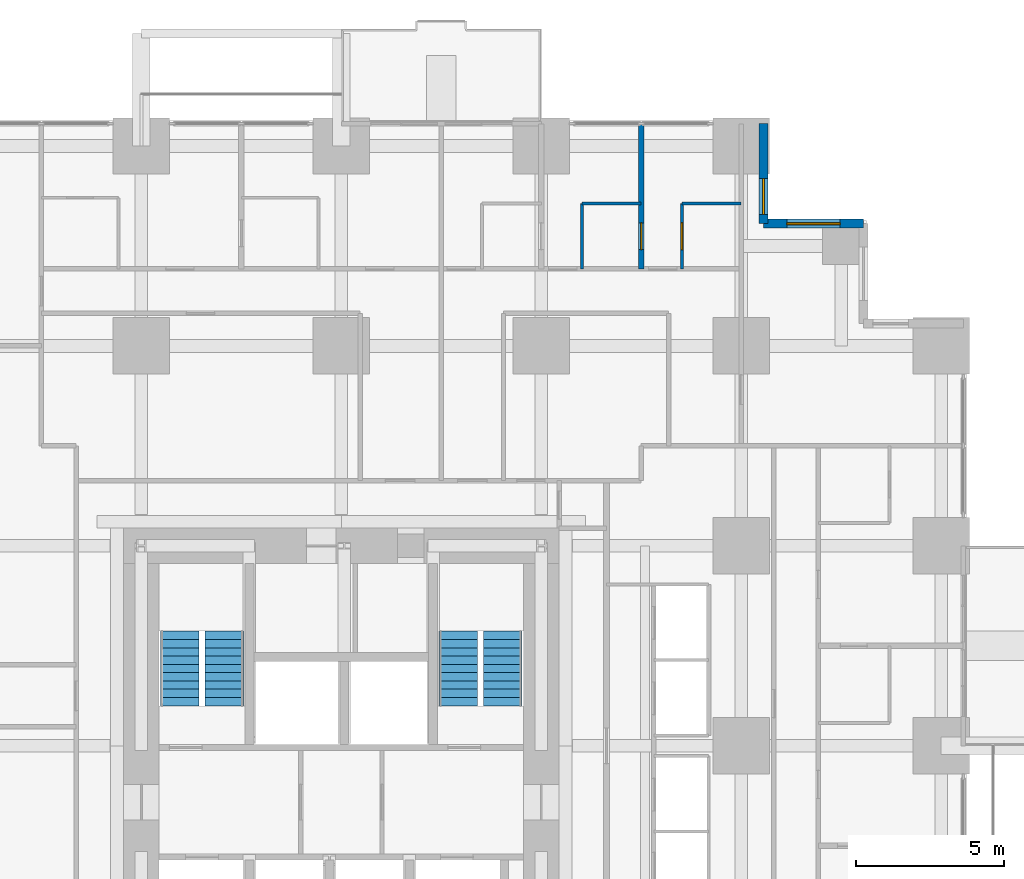
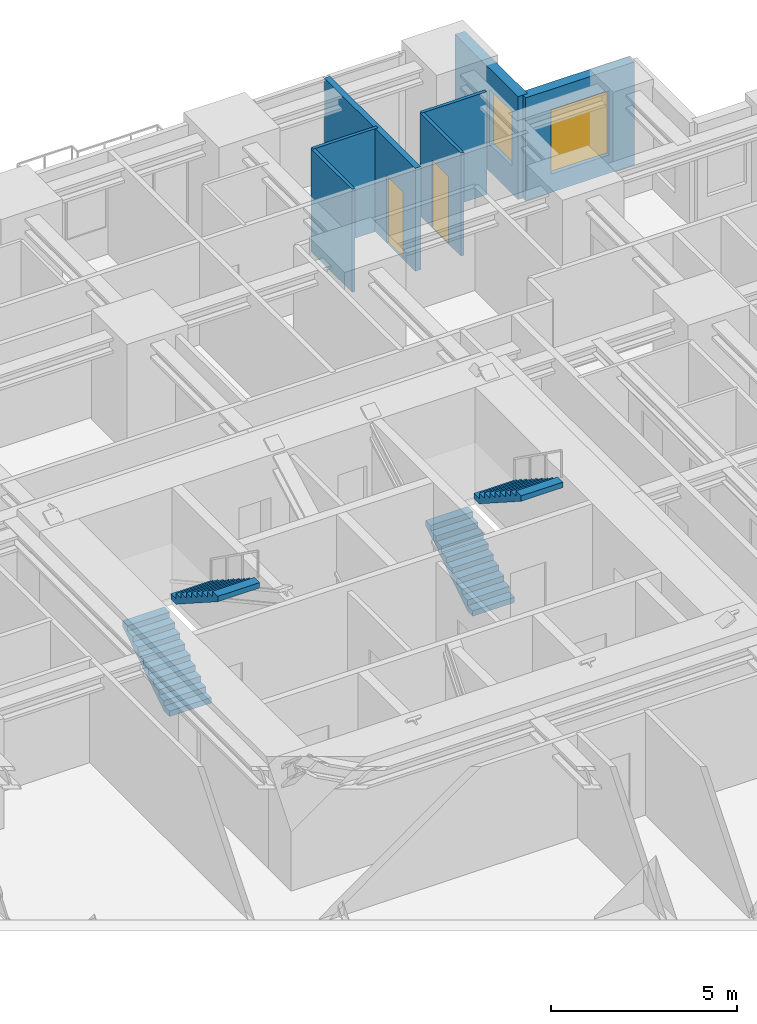
# One storey, part 13 of 14: 7 walls, 4 stair flights, 2 doors, 2 windows, 4 openings, 2 elements without a shape of their own.
"""IFC4 building model written with IfcOpenShell, lengths in metres."""

from ifc_helpers import new_model, si_unit, direction, frame, frame_2d, origin, place, context, subcontext, project, spatial, polyline, rectangle, outline, extrude, material, layer, layer_set, type_object, element, fill, aggregate, save


model = new_model("IFC4")

# Units and contexts
model_context = context("Model", 3, precision=1e-05, world=origin(), true_north=direction((0.0, 1.0)))
body_context = subcontext(model_context, "Body", "Model", "MODEL_VIEW")
ifc_project = project(units=[si_unit("LENGTHUNIT", "METRE"), si_unit("AREAUNIT", "SQUARE_METRE"), si_unit("VOLUMEUNIT", "CUBIC_METRE"), si_unit("PLANEANGLEUNIT", "RADIAN"), si_unit("MASSUNIT", "GRAM", prefix="KILO")], contexts=[model_context])

# Site, building, storey
site_placement = place(None, origin())
site = spatial("IfcSite", under=ifc_project, at=site_placement, CompositionType="ELEMENT")
building_placement = place(site_placement, origin())
building = spatial("IfcBuilding", under=site, at=building_placement, Name="Nyansa Garden Tower", CompositionType="ELEMENT")
storey_placement = place(building_placement, frame((0.0, 0.0, 28.800048828125)))
storey = spatial("IfcBuildingStorey", under=building, at=storey_placement, Name="L07", CompositionType="ELEMENT", Elevation=28.800048828125)

# Wall, opening, door
ifc_material_1 = material(Name="Dense blockwork, plastered both sides, 55 dB", Category="masonry")
ifc_layer_1 = layer(ifc_material_1, 0.175048828125)
ifc_layer_set_1 = layer_set([ifc_layer_1], Name="Acoustic party wall PW175")
wall_type_1 = type_object("IfcWallType", Name="Acoustic party wall PW175", PredefinedType="PARTITIONING", material=ifc_layer_set_1)
wall_1_placement = place(storey_placement, frame((30.375, 36.35009765625, 0.0), z_axis=(0.0, 0.0, 1.0), x_axis=(0.0, 1.0, 0.0)))
wall_1 = element("IfcWall", 1, at=wall_1_placement, inside=storey, type_object=wall_type_1, Name="Party wall", PredefinedType="PARTITIONING", context=body_context, shape_type="SweptSolid", body=[
    extrude(rectangle(XDim=4.8837890625, YDim=0.175048828125, at=frame_2d((2.44189453125, 0.0))), origin(), (0.0, 0.0, 1.0), 3.375),
])
opening_1_placement = place(wall_1_placement, frame((0.64990234375, 0.0, 0.0)))
opening_1 = element("IfcOpeningElement", 2, at=opening_1_placement, cuts=wall_1, Name="Opening D02", PredefinedType="OPENING", context=body_context, shape_type="SweptSolid", body=[
    extrude(rectangle(XDim=0.89990234375, YDim=2.199951171875, at=frame_2d((0.449951171875, 1.10009765625))), frame((0.0, 0.097412109375, 0.0), z_axis=(0.0, -1.0, 0.0), x_axis=(1.0, 0.0, 0.0)), (0.0, 0.0, 1.0), 0.195068359375),
])
ifc_material_2 = material(Name="Timber flush door", Category="wood")
door_type = type_object("IfcDoorType", Name="En-suite door D02 900x2200", OperationType="SINGLE_SWING_RIGHT", PredefinedType="DOOR", material=ifc_material_2)
door_1_placement = place(opening_1_placement, origin())
door_1 = element("IfcDoor", 3, at=door_1_placement, inside=storey, type_object=door_type, Name="Door L07-046", OperationType="SINGLE_SWING_RIGHT", OverallHeight=2.199951171875, OverallWidth=0.89990234375, PredefinedType="DOOR", context=body_context, shape_type="SweptSolid", body=[
    extrude(rectangle(XDim=0.89990234375, YDim=2.199951171875, at=frame_2d((0.449951171875, 1.10009765625))), frame((0.0, 0.02490234375, 0.0), z_axis=(0.0, -1.0, 0.0), x_axis=(1.0, 0.0, 0.0)), (0.0, 0.0, 1.0), 0.050048828125),
])
fill(opening_1, door_1)

# Wall, opening, window
ifc_material_3 = material(Name="Turquoise glazed tile on concrete blockwork", Category="masonry")
ifc_layer_2 = layer(ifc_material_3, 0.300048828125)
ifc_layer_set_2 = layer_set([ifc_layer_2], Name="Tiled corner wall TW300")
wall_type_2 = type_object("IfcWallType", Name="Tiled corner wall TW300", PredefinedType="SOLIDWALL", material=ifc_layer_set_2)
wall_2_placement = place(storey_placement, frame((37.875, 37.875, 0.0), z_axis=(0.0, 0.0, 1.0), x_axis=(-1.0, 0.0, 0.0)))
wall_2 = element("IfcWall", 4, at=wall_2_placement, inside=storey, type_object=wall_type_2, Name="Tiled corner wall L07", PredefinedType="SOLIDWALL", context=body_context, shape_type="SweptSolid", body=[
    extrude(rectangle(XDim=3.375, YDim=0.300048828125, at=frame_2d((1.6875, 0.0))), origin(), (0.0, 0.0, 1.0), 3.375),
])
opening_2_placement = place(wall_2_placement, frame((0.78759765625, 0.0, 0.60009765625)))
opening_2 = element("IfcOpeningElement", 5, at=opening_2_placement, cuts=wall_2, Name="Opening W2", PredefinedType="OPENING", context=body_context, shape_type="SweptSolid", body=[
    extrude(rectangle(XDim=1.800048828125, YDim=2.10009765625, at=frame_2d((0.89990234375, 1.050048828125))), frame((0.0, 0.159912109375, 0.0), z_axis=(0.0, -1.0, 0.0), x_axis=(1.0, 0.0, 0.0)), (0.0, 0.0, 1.0), 0.320068359375),
])
ifc_material_4 = material(Name="Black aluminium frame, dark tinted double glazing", Category="aluminium")
window_type_1 = type_object("IfcWindowType", Name="Window W2 1800x2100", PartitioningType="SINGLE_PANEL", PredefinedType="WINDOW", material=ifc_material_4)
window_1_placement = place(opening_2_placement, origin())
window_1 = element("IfcWindow", 6, at=window_1_placement, inside=storey, type_object=window_type_1, Name="Corner window L07", OverallHeight=2.10009765625, OverallWidth=1.800048828125, PartitioningType="SINGLE_PANEL", PredefinedType="WINDOW", context=body_context, shape_type="SweptSolid", body=[
    extrude(rectangle(XDim=1.800048828125, YDim=2.10009765625, at=frame_2d((0.89990234375, 1.050048828125))), frame((0.0, 0.030029296875, 0.0), z_axis=(0.0, -1.0, 0.0), x_axis=(1.0, 0.0, 0.0)), (0.0, 0.0, 1.0), 0.06005859375),
])
fill(opening_2, window_1)

wall_3_placement = place(storey_placement, frame((34.5, 37.875, 0.0), z_axis=(0.0, 0.0, 1.0), x_axis=(0.0, 1.0, 0.0)))
wall_3 = element("IfcWall", 7, at=wall_3_placement, inside=storey, type_object=wall_type_2, Name="Tiled corner wall L07", PredefinedType="SOLIDWALL", context=body_context, shape_type="SweptSolid", body=[
    extrude(rectangle(XDim=3.375, YDim=0.300048828125, at=frame_2d((1.6875, 0.0))), origin(), (0.0, 0.0, 1.0), 3.375),
])
opening_3_placement = place(wall_3_placement, frame((0.3173828125, 0.0, 0.89990234375)))
opening_3 = element("IfcOpeningElement", 8, at=opening_3_placement, cuts=wall_3, Name="Opening W4", PredefinedType="OPENING", context=body_context, shape_type="SweptSolid", body=[
    extrude(rectangle(XDim=1.199951171875, YDim=1.800048828125, at=frame_2d((0.60009765625, 0.89990234375))), frame((0.0, 0.159912109375, 0.0), z_axis=(0.0, -1.0, 0.0), x_axis=(1.0, 0.0, 0.0)), (0.0, 0.0, 1.0), 0.320068359375),
])
ifc_material_5 = material(Name="Black aluminium frame, dark tinted double glazing", Category="aluminium")
window_type_2 = type_object("IfcWindowType", Name="Window W4 1200x1800", PartitioningType="SINGLE_PANEL", PredefinedType="WINDOW", material=ifc_material_5)
window_2_placement = place(opening_3_placement, origin())
window_2 = element("IfcWindow", 9, at=window_2_placement, inside=storey, type_object=window_type_2, Name="Corner window L07", OverallHeight=1.800048828125, OverallWidth=1.199951171875, PartitioningType="SINGLE_PANEL", PredefinedType="WINDOW", context=body_context, shape_type="SweptSolid", body=[
    extrude(rectangle(XDim=1.199951171875, YDim=1.800048828125, at=frame_2d((0.60009765625, 0.89990234375))), frame((0.0, 0.030029296875, 0.0), z_axis=(0.0, -1.0, 0.0), x_axis=(1.0, 0.0, 0.0)), (0.0, 0.0, 1.0), 0.06005859375),
])
fill(opening_3, window_2)

# Walls
ifc_material_6 = material(Name="Moisture resistant board on steel studs, tiled", Category="steel")
ifc_layer_3 = layer(ifc_material_6, 0.10009765625)
ifc_layer_set_3 = layer_set([ifc_layer_3], Name="Wet wall PW100")
wall_type_3 = type_object("IfcWallType", Name="Wet wall PW100", PredefinedType="PARTITIONING", material=ifc_layer_set_3)
wall_4_placement = place(storey_placement, frame((28.375, 36.35009765625, 0.0), z_axis=(0.0, 0.0, 1.0), x_axis=(0.0, 1.0, 0.0)))
element("IfcWall", 10, at=wall_4_placement, inside=storey, type_object=wall_type_3, Name="Wet wall", PredefinedType="PARTITIONING", context=body_context, shape_type="SweptSolid", body=[
    extrude(rectangle(XDim=2.199951171875, YDim=0.10009765625, at=frame_2d((1.10009765625, 0.0))), origin(), (0.0, 0.0, 1.0), 3.375),
])
wall_5_placement = place(storey_placement, frame((28.375, 38.550048828125, 0.0), z_axis=(0.0, 0.0, 1.0), x_axis=(1.0, 0.0, 0.0)))
element("IfcWall", 11, at=wall_5_placement, inside=storey, type_object=wall_type_3, Name="Wet wall", PredefinedType="PARTITIONING", context=body_context, shape_type="SweptSolid", body=[
    extrude(rectangle(XDim=2.0, YDim=0.10009765625, at=frame_2d((1.0, 0.0))), origin(), (0.0, 0.0, 1.0), 3.375),
])

# Wall, opening, door
wall_6_placement = place(storey_placement, frame((31.75, 36.35009765625, 0.0), z_axis=(0.0, 0.0, 1.0), x_axis=(0.0, 1.0, 0.0)))
wall_6 = element("IfcWall", 12, at=wall_6_placement, inside=storey, type_object=wall_type_3, Name="Wet wall", PredefinedType="PARTITIONING", context=body_context, shape_type="SweptSolid", body=[
    extrude(rectangle(XDim=2.199951171875, YDim=0.10009765625, at=frame_2d((1.10009765625, 0.0))), origin(), (0.0, 0.0, 1.0), 3.375),
])
opening_4_placement = place(wall_6_placement, frame((0.64990234375, 0.0, 0.0)))
opening_4 = element("IfcOpeningElement", 13, at=opening_4_placement, cuts=wall_6, Name="Opening D02", PredefinedType="OPENING", context=body_context, shape_type="SweptSolid", body=[
    extrude(rectangle(XDim=0.89990234375, YDim=2.199951171875, at=frame_2d((0.449951171875, 1.10009765625))), frame((0.0, 0.06005859375, 0.0), z_axis=(0.0, -1.0, 0.0), x_axis=(1.0, 0.0, 0.0)), (0.0, 0.0, 1.0), 0.1201171875),
])
door_2_placement = place(opening_4_placement, origin())
door_2 = element("IfcDoor", 14, at=door_2_placement, inside=storey, type_object=door_type, Name="Door L07-044", OperationType="SINGLE_SWING_RIGHT", OverallHeight=2.199951171875, OverallWidth=0.89990234375, PredefinedType="DOOR", context=body_context, shape_type="SweptSolid", body=[
    extrude(rectangle(XDim=0.89990234375, YDim=2.199951171875, at=frame_2d((0.449951171875, 1.10009765625))), frame((0.0, 0.02490234375, 0.0), z_axis=(0.0, -1.0, 0.0), x_axis=(1.0, 0.0, 0.0)), (0.0, 0.0, 1.0), 0.050048828125),
])
fill(opening_4, door_2)

# Wall
wall_7_placement = place(storey_placement, frame((31.75, 38.550048828125, 0.0), z_axis=(0.0, 0.0, 1.0), x_axis=(1.0, 0.0, 0.0)))
element("IfcWall", 15, at=wall_7_placement, inside=storey, type_object=wall_type_3, Name="Wet wall", PredefinedType="PARTITIONING", context=body_context, shape_type="SweptSolid", body=[
    extrude(rectangle(XDim=2.0, YDim=0.10009765625, at=frame_2d((1.0, 0.0))), origin(), (0.0, 0.0, 1.0), 3.375),
])

# Stair, stair flights
ifc_material_7 = material(Name="Precast concrete C40/50", Category="concrete")
stair_type_1 = type_object("IfcStairType", Name="Stair S1 180x280", PredefinedType="HALF_TURN_STAIR", material=ifc_material_7)
stair_1_placement = place(storey_placement, origin())
stair_1 = element("IfcStair", 16, at=stair_1_placement, inside=storey, type_object=stair_type_1, Name="Stair S1 L07", PredefinedType="HALF_TURN_STAIR")
ifc_material_8 = material(Name="Precast concrete C40/50", Category="concrete")
stair_flight_type_1 = type_object("IfcStairFlightType", Name="Stair flight S1 180x280x10", PredefinedType="STRAIGHT", material=ifc_material_8)
stair_flight_1_placement = place(storey_placement, frame((14.800048828125, 21.60009765625, 0.0), z_axis=(0.0, 0.0, 1.0), x_axis=(0.0, 1.0, 0.0)))
stair_flight_1 = element("IfcStairFlight", 17, at=stair_flight_1_placement, type_object=stair_flight_type_1, Name="S1 flight 1", NumberOfRisers=10, NumberOfTreads=9, PredefinedType="STRAIGHT", RiserHeight=0.18, TreadLength=0.28, context=body_context, shape_type="SweptSolid", body=[
    extrude(outline(polyline([(0.0, 0.0), (0.0, 0.179931640625), (0.280029296875, 0.179931640625), (0.280029296875, 0.360107421875), (0.56005859375, 0.360107421875), (0.56005859375, 0.5400390625), (0.840087890625, 0.5400390625), (0.840087890625, 0.719970703125), (1.1201171875, 0.719970703125), (1.1201171875, 0.89990234375), (1.39990234375, 0.89990234375), (1.39990234375, 1.080078125), (1.679931640625, 1.080078125), (1.679931640625, 1.260009765625), (1.9599609375, 1.260009765625), (1.9599609375, 1.43994140625), (2.239990234375, 1.43994140625), (2.239990234375, 1.6201171875), (2.52001953125, 1.6201171875), (2.52001953125, 1.800048828125), (2.52001953125, 1.44189453125), (0.277099609375, 0.0), (0.0, 0.0)])), frame((0.0, 0.64990234375, 0.0), z_axis=(0.0, -1.0, 0.0), x_axis=(1.0, 0.0, 0.0)), (0.0, 0.0, 1.0), 1.300048828125),
])
stair_flight_2_placement = place(storey_placement, frame((16.300048828125, 24.1201171875, 1.800048828125), z_axis=(0.0, 0.0, 1.0), x_axis=(0.0, -1.0, 0.0)))
stair_flight_2 = element("IfcStairFlight", 18, at=stair_flight_2_placement, type_object=stair_flight_type_1, Name="S1 flight 2", NumberOfRisers=10, NumberOfTreads=9, PredefinedType="STRAIGHT", RiserHeight=0.18, TreadLength=0.28, context=body_context, shape_type="SweptSolid", body=[
    extrude(outline(polyline([(0.0, 0.0), (0.0, 0.179931640625), (0.280029296875, 0.179931640625), (0.280029296875, 0.360107421875), (0.56005859375, 0.360107421875), (0.56005859375, 0.5400390625), (0.840087890625, 0.5400390625), (0.840087890625, 0.719970703125), (1.1201171875, 0.719970703125), (1.1201171875, 0.89990234375), (1.39990234375, 0.89990234375), (1.39990234375, 1.080078125), (1.679931640625, 1.080078125), (1.679931640625, 1.260009765625), (1.9599609375, 1.260009765625), (1.9599609375, 1.43994140625), (2.239990234375, 1.43994140625), (2.239990234375, 1.6201171875), (2.52001953125, 1.6201171875), (2.52001953125, 1.800048828125), (2.52001953125, 1.44189453125), (0.277099609375, 0.0), (0.0, 0.0)])), frame((0.0, 0.64990234375, 0.0), z_axis=(0.0, -1.0, 0.0), x_axis=(1.0, 0.0, 0.0)), (0.0, 0.0, 1.0), 1.300048828125),
])
aggregate(stair_1, [stair_flight_1, stair_flight_2])

ifc_material_9 = material(Name="Precast concrete C40/50", Category="concrete")
stair_type_2 = type_object("IfcStairType", Name="Stair S2 180x280", PredefinedType="HALF_TURN_STAIR", material=ifc_material_9)
stair_2_placement = place(storey_placement, origin())
stair_2 = element("IfcStair", 19, at=stair_2_placement, inside=storey, type_object=stair_type_2, Name="Stair S2 L07", PredefinedType="HALF_TURN_STAIR")
ifc_material_10 = material(Name="Precast concrete C40/50", Category="concrete")
stair_flight_type_2 = type_object("IfcStairFlightType", Name="Stair flight S2 180x280x10", PredefinedType="STRAIGHT", material=ifc_material_10)
stair_flight_3_placement = place(storey_placement, frame((24.199951171875, 21.60009765625, 0.0), z_axis=(0.0, 0.0, 1.0), x_axis=(0.0, 1.0, 0.0)))
stair_flight_3 = element("IfcStairFlight", 20, at=stair_flight_3_placement, type_object=stair_flight_type_2, Name="S2 flight 1", NumberOfRisers=10, NumberOfTreads=9, PredefinedType="STRAIGHT", RiserHeight=0.18, TreadLength=0.28, context=body_context, shape_type="SweptSolid", body=[
    extrude(outline(polyline([(0.0, 0.0), (0.0, 0.179931640625), (0.280029296875, 0.179931640625), (0.280029296875, 0.360107421875), (0.56005859375, 0.360107421875), (0.56005859375, 0.5400390625), (0.840087890625, 0.5400390625), (0.840087890625, 0.719970703125), (1.1201171875, 0.719970703125), (1.1201171875, 0.89990234375), (1.39990234375, 0.89990234375), (1.39990234375, 1.080078125), (1.679931640625, 1.080078125), (1.679931640625, 1.260009765625), (1.9599609375, 1.260009765625), (1.9599609375, 1.43994140625), (2.239990234375, 1.43994140625), (2.239990234375, 1.6201171875), (2.52001953125, 1.6201171875), (2.52001953125, 1.800048828125), (2.52001953125, 1.44189453125), (0.277099609375, 0.0), (0.0, 0.0)])), frame((0.0, 0.64990234375, 0.0), z_axis=(0.0, -1.0, 0.0), x_axis=(1.0, 0.0, 0.0)), (0.0, 0.0, 1.0), 1.300048828125),
])
stair_flight_4_placement = place(storey_placement, frame((25.699951171875, 24.1201171875, 1.800048828125), z_axis=(0.0, 0.0, 1.0), x_axis=(0.0, -1.0, 0.0)))
stair_flight_4 = element("IfcStairFlight", 21, at=stair_flight_4_placement, type_object=stair_flight_type_2, Name="S2 flight 2", NumberOfRisers=10, NumberOfTreads=9, PredefinedType="STRAIGHT", RiserHeight=0.18, TreadLength=0.28, context=body_context, shape_type="SweptSolid", body=[
    extrude(outline(polyline([(0.0, 0.0), (0.0, 0.179931640625), (0.280029296875, 0.179931640625), (0.280029296875, 0.360107421875), (0.56005859375, 0.360107421875), (0.56005859375, 0.5400390625), (0.840087890625, 0.5400390625), (0.840087890625, 0.719970703125), (1.1201171875, 0.719970703125), (1.1201171875, 0.89990234375), (1.39990234375, 0.89990234375), (1.39990234375, 1.080078125), (1.679931640625, 1.080078125), (1.679931640625, 1.260009765625), (1.9599609375, 1.260009765625), (1.9599609375, 1.43994140625), (2.239990234375, 1.43994140625), (2.239990234375, 1.6201171875), (2.52001953125, 1.6201171875), (2.52001953125, 1.800048828125), (2.52001953125, 1.44189453125), (0.277099609375, 0.0), (0.0, 0.0)])), frame((0.0, 0.64990234375, 0.0), z_axis=(0.0, -1.0, 0.0), x_axis=(1.0, 0.0, 0.0)), (0.0, 0.0, 1.0), 1.300048828125),
])
aggregate(stair_2, [stair_flight_3, stair_flight_4])

save(model, "model.ifc")
